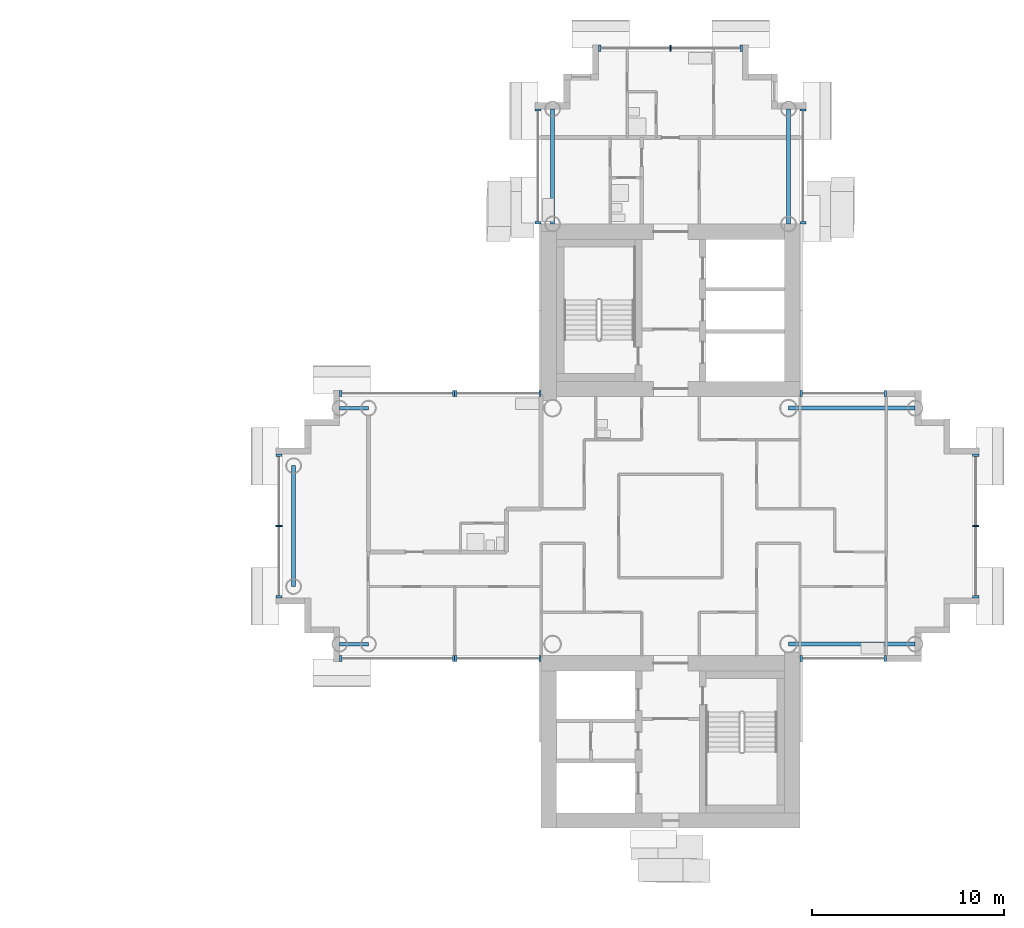
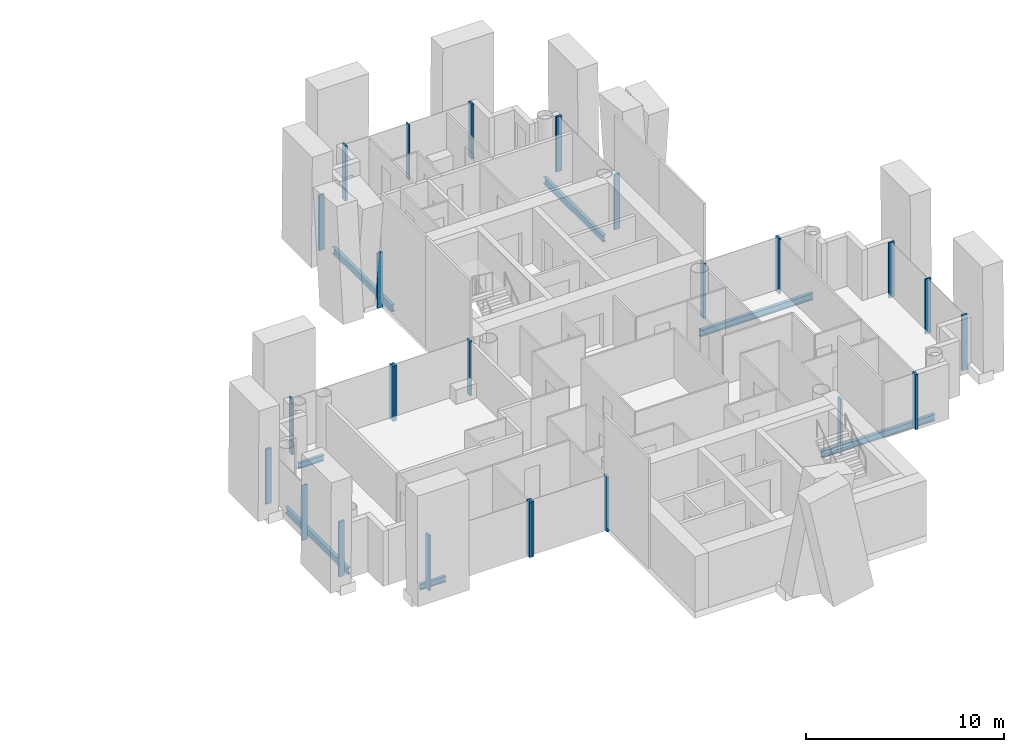
# One storey, part 4 of 18: 25 members, 7 beams, 11 elements without a shape of their own.
"""IFC4 building model written with IfcOpenShell, lengths in metres."""

from ifc_helpers import new_model, si_unit, direction, frame, origin, origin_2d, place, context, subcontext, project, spatial, rectangle, i_section, extrude, material, layer, layer_set, material_profile, profile_set, type_object, element, aggregate, save


model = new_model("IFC4")

# Units and contexts
model_context = context("Model", 3, precision=1e-05, world=origin(), true_north=direction((0.0, 1.0)))
body_context = subcontext(model_context, "Body", "Model", "MODEL_VIEW")
ifc_project = project(units=[si_unit("LENGTHUNIT", "METRE"), si_unit("AREAUNIT", "SQUARE_METRE"), si_unit("VOLUMEUNIT", "CUBIC_METRE"), si_unit("PLANEANGLEUNIT", "RADIAN"), si_unit("MASSUNIT", "GRAM", prefix="KILO")], contexts=[model_context])

# Site, building, storey
site_placement = place(None, origin())
site = spatial("IfcSite", under=ifc_project, at=site_placement, CompositionType="ELEMENT")
building_placement = place(site_placement, origin())
building = spatial("IfcBuilding", under=site, at=building_placement, Name="Ipe Terrace Towers", CompositionType="ELEMENT")
storey_placement = place(building_placement, frame((0.0, 0.0, 150.699951171875)))
storey = spatial("IfcBuildingStorey", under=building, at=storey_placement, Name="L41", CompositionType="ELEMENT", Elevation=150.699951171875)

# Beams
ifc_material_1 = material(Name="Steel S355", Category="steel")
ifc_material_profile_1 = material_profile(ifc_material_1, i_section(OverallWidth=0.175048828125, OverallDepth=0.35009765625, WebThickness=0.007080078125, FlangeThickness=0.010986328125, at=origin_2d()), Name="H-350x175x7x11")
ifc_profile_set_1 = profile_set([ifc_material_profile_1], Name="Steel S355")
beam_type_1 = type_object("IfcBeamType", Name="H04 EDGE BEAM H-350x175x7x11", PredefinedType="BEAM", material=ifc_profile_set_1)
for number, where, z_axis, x_axis, name in (
    (1, (20.25, 6.14990234375, -0.574951171875), (-1.0, 0.0, 0.0), (0.0, -1.0, 0.0), "Edge beam T2-EB-B03-B05"),
    (2, (20.25, -6.14990234375, -0.574951171875), (-1.0, 0.0, 0.0), (0.0, -1.0, 0.0), "Edge beam T2-EB-B04-B06"),
):
    element("IfcBeam", number, at=place(storey_placement, frame(where, z_axis=z_axis, x_axis=x_axis)), inside=storey, type_object=beam_type_1, Name=name, PredefinedType="BEAM", context=body_context, shape_type="SweptSolid", body=[
        extrude(i_section(OverallWidth=0.175048828125, OverallDepth=0.35009765625, WebThickness=0.007080078125, FlangeThickness=0.010986328125, at=origin_2d()), origin(), (0.0, 0.0, 1.0), 1.5),
    ])
ifc_material_2 = material(Name="Steel S355", Category="steel")
ifc_material_profile_2 = material_profile(ifc_material_2, i_section(OverallWidth=0.199951171875, OverallDepth=0.39990234375, WebThickness=0.008056640625, FlangeThickness=0.012939453125, at=origin_2d()), Name="H-400x200x8x13")
ifc_profile_set_2 = profile_set([ifc_material_profile_2], Name="Steel S355")
beam_type_2 = type_object("IfcBeamType", Name="H06 EDGE BEAM H-400x200x8x13", PredefinedType="BEAM", material=ifc_profile_set_2)
for number, where, z_axis, x_axis, name in (
    (3, (42.14990234375, 15.75, -0.599853515625), (0.0, 1.0, 0.0), (-1.0, 0.0, 0.0), "Edge beam T2-EB-A01-A03"),
    (4, (29.85009765625, 15.75, -0.599853515625), (0.0, 1.0, 0.0), (-1.0, 0.0, 0.0), "Edge beam T2-EB-A02-A04"),
):
    element("IfcBeam", number, at=place(storey_placement, frame(where, z_axis=z_axis, x_axis=x_axis)), inside=storey, type_object=beam_type_2, Name=name, PredefinedType="BEAM", context=body_context, shape_type="SweptSolid", body=[
        extrude(i_section(OverallWidth=0.199951171875, OverallDepth=0.39990234375, WebThickness=0.008056640625, FlangeThickness=0.012939453125, at=origin_2d()), origin(), (0.0, 0.0, 1.0), 6.0),
    ])
beam_placement = place(storey_placement, frame((16.35009765625, 3.14990234375, -0.599853515625), z_axis=(0.0, -1.0, 0.0), x_axis=(1.0, 0.0, 0.0)))
element("IfcBeam", 5, at=beam_placement, inside=storey, type_object=beam_type_2, Name="Edge beam T2-EB-B07-B08", PredefinedType="BEAM", context=body_context, shape_type="SweptSolid", body=[
    extrude(i_section(OverallWidth=0.199951171875, OverallDepth=0.39990234375, WebThickness=0.008056640625, FlangeThickness=0.012939453125, at=origin_2d()), origin(), (0.0, 0.0, 1.0), 6.2998046875),
])
for number, where, z_axis, x_axis, name in (
    (6, (48.75, -6.14990234375, -0.599853515625), (-1.0, 0.0, 0.0), (0.0, -1.0, 0.0), "Edge beam T2-EB-D01-E01"),
    (7, (48.75, 6.14990234375, -0.599853515625), (-1.0, 0.0, 0.0), (0.0, -1.0, 0.0), "Edge beam T2-EB-D02-E02"),
):
    element("IfcBeam", number, at=place(storey_placement, frame(where, z_axis=z_axis, x_axis=x_axis)), inside=storey, type_object=beam_type_2, Name=name, PredefinedType="BEAM", context=body_context, shape_type="SweptSolid", body=[
        extrude(i_section(OverallWidth=0.199951171875, OverallDepth=0.39990234375, WebThickness=0.008056640625, FlangeThickness=0.012939453125, at=origin_2d()), origin(), (0.0, 0.0, 1.0), 6.60009765625),
    ])

# Curtain wall, members
ifc_material_3 = material(Name="Aluminium alloy 6063-T6", Category="aluminium")
ifc_layer = layer(ifc_material_3, 0.320068359375)
ifc_layer_set = layer_set([ifc_layer], Name="TOWER UNITISED CURTAIN WALL")
curtain_wall_type = type_object("IfcCurtainWallType", Name="TOWER UNITISED CURTAIN WALL", PredefinedType="NOTDEFINED", material=ifc_layer_set)
curtain_wall_1_placement = place(storey_placement, origin())
curtain_wall_1 = element("IfcCurtainWall", 8, at=curtain_wall_1_placement, inside=storey, type_object=curtain_wall_type, Name="T2-CW-L41-02a curtain wall", PredefinedType="NOTDEFINED")
ifc_material_4 = material(Name="Aluminium alloy 6063-T6", Category="aluminium")
ifc_material_profile_3 = material_profile(ifc_material_4, rectangle(XDim=0.320068359375, YDim=0.1201171875, at=origin_2d()), Name="TOWER UNITISED CORNER MULLION 320 x 120")
ifc_profile_set_3 = profile_set([ifc_material_profile_3], Name="Aluminium alloy 6063-T6")
member_type_1 = type_object("IfcMemberType", Name="TOWER UNITISED CORNER MULLION 320 x 120", PredefinedType="MULLION", material=ifc_profile_set_3)
member_1_placement = place(storey_placement, frame((42.81005859375, -6.909912109375, -0.300048828125), z_axis=(0.0, 0.0, 1.0), x_axis=(0.0, -1.0, 0.0)))
member_1 = element("IfcMember", 9, at=member_1_placement, type_object=member_type_1, Name="T2-CW-L41-02a mullion 1", PredefinedType="MULLION", context=body_context, shape_type="SweptSolid", body=[
    extrude(rectangle(XDim=0.320068359375, YDim=0.1201171875, at=origin_2d()), origin(), (0.0, 0.0, 1.0), 3.400146484375),
])
member_2_placement = place(storey_placement, frame((47.18994140625, -6.909912109375, -0.300048828125), z_axis=(0.0, 0.0, 1.0), x_axis=(0.0, -1.0, 0.0)))
member_2 = element("IfcMember", 10, at=member_2_placement, type_object=member_type_1, Name="T2-CW-L41-02a mullion 2", PredefinedType="MULLION", context=body_context, shape_type="SweptSolid", body=[
    extrude(rectangle(XDim=0.320068359375, YDim=0.1201171875, at=origin_2d()), origin(), (0.0, 0.0, 1.0), 3.400146484375),
])
aggregate(curtain_wall_1, [member_1, member_2])

curtain_wall_2_placement = place(storey_placement, origin())
curtain_wall_2 = element("IfcCurtainWall", 11, at=curtain_wall_2_placement, inside=storey, type_object=curtain_wall_type, Name="T2-CW-L41-08a curtain wall", PredefinedType="NOTDEFINED")
member_3_placement = place(storey_placement, frame((51.909912109375, -3.68994140625, -0.300048828125), z_axis=(0.0, 0.0, 1.0), x_axis=(1.0, 0.0, 0.0)))
member_3 = element("IfcMember", 12, at=member_3_placement, type_object=member_type_1, Name="T2-CW-L41-08a mullion 1", PredefinedType="MULLION", context=body_context, shape_type="SweptSolid", body=[
    extrude(rectangle(XDim=0.320068359375, YDim=0.1201171875, at=origin_2d()), origin(), (0.0, 0.0, 1.0), 3.400146484375),
])
member_4_placement = place(storey_placement, frame((51.909912109375, 3.68994140625, -0.300048828125), z_axis=(0.0, 0.0, 1.0), x_axis=(1.0, 0.0, 0.0)))
member_4 = element("IfcMember", 13, at=member_4_placement, type_object=member_type_1, Name="T2-CW-L41-08a mullion 3", PredefinedType="MULLION", context=body_context, shape_type="SweptSolid", body=[
    extrude(rectangle(XDim=0.320068359375, YDim=0.1201171875, at=origin_2d()), origin(), (0.0, 0.0, 1.0), 3.400146484375),
])

curtain_wall_3_placement = place(storey_placement, origin())
curtain_wall_3 = element("IfcCurtainWall", 14, at=curtain_wall_3_placement, inside=storey, type_object=curtain_wall_type, Name="T2-CW-L41-14a curtain wall", PredefinedType="NOTDEFINED")
member_5_placement = place(storey_placement, frame((47.18994140625, 6.909912109375, -0.300048828125), z_axis=(0.0, 0.0, 1.0), x_axis=(0.0, 1.0, 0.0)))
member_5 = element("IfcMember", 15, at=member_5_placement, type_object=member_type_1, Name="T2-CW-L41-14a mullion 1", PredefinedType="MULLION", context=body_context, shape_type="SweptSolid", body=[
    extrude(rectangle(XDim=0.320068359375, YDim=0.1201171875, at=origin_2d()), origin(), (0.0, 0.0, 1.0), 3.400146484375),
])
member_6_placement = place(storey_placement, frame((42.81005859375, 6.909912109375, -0.300048828125), z_axis=(0.0, 0.0, 1.0), x_axis=(0.0, 1.0, 0.0)))
member_6 = element("IfcMember", 16, at=member_6_placement, type_object=member_type_1, Name="T2-CW-L41-14a mullion 2", PredefinedType="MULLION", context=body_context, shape_type="SweptSolid", body=[
    extrude(rectangle(XDim=0.320068359375, YDim=0.1201171875, at=origin_2d()), origin(), (0.0, 0.0, 1.0), 3.400146484375),
])
aggregate(curtain_wall_3, [member_5, member_6])

curtain_wall_4_placement = place(storey_placement, origin())
curtain_wall_4 = element("IfcCurtainWall", 17, at=curtain_wall_4_placement, inside=storey, type_object=curtain_wall_type, Name="T2-CW-L41-16b curtain wall", PredefinedType="NOTDEFINED")
member_7_placement = place(storey_placement, frame((42.909912109375, 15.81103515625, -0.300048828125), z_axis=(0.0, 0.0, 1.0), x_axis=(1.0, 0.0, 0.0)))
member_7 = element("IfcMember", 18, at=member_7_placement, type_object=member_type_1, Name="T2-CW-L41-16b mullion 1", PredefinedType="MULLION", context=body_context, shape_type="SweptSolid", body=[
    extrude(rectangle(XDim=0.320068359375, YDim=0.1201171875, at=origin_2d()), origin(), (0.0, 0.0, 1.0), 3.400146484375),
])
member_8_placement = place(storey_placement, frame((42.909912109375, 21.68994140625, -0.300048828125), z_axis=(0.0, 0.0, 1.0), x_axis=(1.0, 0.0, 0.0)))
member_8 = element("IfcMember", 19, at=member_8_placement, type_object=member_type_1, Name="T2-CW-L41-16b mullion 2", PredefinedType="MULLION", context=body_context, shape_type="SweptSolid", body=[
    extrude(rectangle(XDim=0.320068359375, YDim=0.1201171875, at=origin_2d()), origin(), (0.0, 0.0, 1.0), 3.400146484375),
])
aggregate(curtain_wall_4, [member_7, member_8])

curtain_wall_5_placement = place(storey_placement, origin())
curtain_wall_5 = element("IfcCurtainWall", 20, at=curtain_wall_5_placement, inside=storey, type_object=curtain_wall_type, Name="T2-CW-L41-21a curtain wall", PredefinedType="NOTDEFINED")
member_9_placement = place(storey_placement, frame((39.68994140625, 24.909912109375, -0.300048828125), z_axis=(0.0, 0.0, 1.0), x_axis=(0.0, 1.0, 0.0)))
member_9 = element("IfcMember", 21, at=member_9_placement, type_object=member_type_1, Name="T2-CW-L41-21a mullion 1", PredefinedType="MULLION", context=body_context, shape_type="SweptSolid", body=[
    extrude(rectangle(XDim=0.320068359375, YDim=0.1201171875, at=origin_2d()), origin(), (0.0, 0.0, 1.0), 3.400146484375),
])
member_10_placement = place(storey_placement, frame((32.31005859375, 24.909912109375, -0.300048828125), z_axis=(0.0, 0.0, 1.0), x_axis=(0.0, 1.0, 0.0)))
member_10 = element("IfcMember", 22, at=member_10_placement, type_object=member_type_1, Name="T2-CW-L41-21a mullion 3", PredefinedType="MULLION", context=body_context, shape_type="SweptSolid", body=[
    extrude(rectangle(XDim=0.320068359375, YDim=0.1201171875, at=origin_2d()), origin(), (0.0, 0.0, 1.0), 3.400146484375),
])

curtain_wall_6_placement = place(storey_placement, origin())
curtain_wall_6 = element("IfcCurtainWall", 23, at=curtain_wall_6_placement, inside=storey, type_object=curtain_wall_type, Name="T2-CW-L41-26a curtain wall", PredefinedType="NOTDEFINED")
member_11_placement = place(storey_placement, frame((29.090087890625, 21.68994140625, -0.300048828125), z_axis=(0.0, 0.0, 1.0), x_axis=(-1.0, 0.0, 0.0)))
member_11 = element("IfcMember", 24, at=member_11_placement, type_object=member_type_1, Name="T2-CW-L41-26a mullion 1", PredefinedType="MULLION", context=body_context, shape_type="SweptSolid", body=[
    extrude(rectangle(XDim=0.320068359375, YDim=0.1201171875, at=origin_2d()), origin(), (0.0, 0.0, 1.0), 3.400146484375),
])
member_12_placement = place(storey_placement, frame((29.090087890625, 15.81103515625, -0.300048828125), z_axis=(0.0, 0.0, 1.0), x_axis=(-1.0, 0.0, 0.0)))
member_12 = element("IfcMember", 25, at=member_12_placement, type_object=member_type_1, Name="T2-CW-L41-26a mullion 2", PredefinedType="MULLION", context=body_context, shape_type="SweptSolid", body=[
    extrude(rectangle(XDim=0.320068359375, YDim=0.1201171875, at=origin_2d()), origin(), (0.0, 0.0, 1.0), 3.400146484375),
])
aggregate(curtain_wall_6, [member_11, member_12])

curtain_wall_7_placement = place(storey_placement, origin())
curtain_wall_7 = element("IfcCurtainWall", 26, at=curtain_wall_7_placement, inside=storey, type_object=curtain_wall_type, Name="T2-CW-L41-28a curtain wall", PredefinedType="NOTDEFINED")
member_13_placement = place(storey_placement, frame((29.18994140625, 6.909912109375, -0.300048828125), z_axis=(0.0, 0.0, 1.0), x_axis=(0.0, 1.0, 0.0)))
member_13 = element("IfcMember", 27, at=member_13_placement, type_object=member_type_1, Name="T2-CW-L41-28a mullion 1", PredefinedType="MULLION", context=body_context, shape_type="SweptSolid", body=[
    extrude(rectangle(XDim=0.320068359375, YDim=0.1201171875, at=origin_2d()), origin(), (0.0, 0.0, 1.0), 3.400146484375),
])
member_14_placement = place(storey_placement, frame((24.81005859375, 6.909912109375, -0.300048828125), z_axis=(0.0, 0.0, 1.0), x_axis=(0.0, 1.0, 0.0)))
member_14 = element("IfcMember", 28, at=member_14_placement, type_object=member_type_1, Name="T2-CW-L41-28a mullion 2", PredefinedType="MULLION", context=body_context, shape_type="SweptSolid", body=[
    extrude(rectangle(XDim=0.320068359375, YDim=0.1201171875, at=origin_2d()), origin(), (0.0, 0.0, 1.0), 3.400146484375),
])
aggregate(curtain_wall_7, [member_13, member_14])

curtain_wall_8_placement = place(storey_placement, origin())
curtain_wall_8 = element("IfcCurtainWall", 29, at=curtain_wall_8_placement, inside=storey, type_object=curtain_wall_type, Name="T2-CW-L41-29a curtain wall", PredefinedType="NOTDEFINED")
member_15_placement = place(storey_placement, frame((24.68994140625, 6.909912109375, -0.300048828125), z_axis=(0.0, 0.0, 1.0), x_axis=(0.0, 1.0, 0.0)))
member_15 = element("IfcMember", 30, at=member_15_placement, type_object=member_type_1, Name="T2-CW-L41-29a mullion 1", PredefinedType="MULLION", context=body_context, shape_type="SweptSolid", body=[
    extrude(rectangle(XDim=0.320068359375, YDim=0.1201171875, at=origin_2d()), origin(), (0.0, 0.0, 1.0), 3.400146484375),
])
member_16_placement = place(storey_placement, frame((18.81005859375, 6.909912109375, -0.300048828125), z_axis=(0.0, 0.0, 1.0), x_axis=(0.0, 1.0, 0.0)))
member_16 = element("IfcMember", 31, at=member_16_placement, type_object=member_type_1, Name="T2-CW-L41-29a mullion 2", PredefinedType="MULLION", context=body_context, shape_type="SweptSolid", body=[
    extrude(rectangle(XDim=0.320068359375, YDim=0.1201171875, at=origin_2d()), origin(), (0.0, 0.0, 1.0), 3.400146484375),
])
aggregate(curtain_wall_8, [member_15, member_16])

curtain_wall_9_placement = place(storey_placement, origin())
curtain_wall_9 = element("IfcCurtainWall", 32, at=curtain_wall_9_placement, inside=storey, type_object=curtain_wall_type, Name="T2-CW-L41-34a curtain wall", PredefinedType="NOTDEFINED")
member_17_placement = place(storey_placement, frame((15.590087890625, 3.68994140625, -0.300048828125), z_axis=(0.0, 0.0, 1.0), x_axis=(-1.0, 0.0, 0.0)))
member_17 = element("IfcMember", 33, at=member_17_placement, type_object=member_type_1, Name="T2-CW-L41-34a mullion 1", PredefinedType="MULLION", context=body_context, shape_type="SweptSolid", body=[
    extrude(rectangle(XDim=0.320068359375, YDim=0.1201171875, at=origin_2d()), origin(), (0.0, 0.0, 1.0), 3.400146484375),
])
member_18_placement = place(storey_placement, frame((15.590087890625, -3.68994140625, -0.300048828125), z_axis=(0.0, 0.0, 1.0), x_axis=(-1.0, 0.0, 0.0)))
member_18 = element("IfcMember", 34, at=member_18_placement, type_object=member_type_1, Name="T2-CW-L41-34a mullion 3", PredefinedType="MULLION", context=body_context, shape_type="SweptSolid", body=[
    extrude(rectangle(XDim=0.320068359375, YDim=0.1201171875, at=origin_2d()), origin(), (0.0, 0.0, 1.0), 3.400146484375),
])

curtain_wall_10_placement = place(storey_placement, origin())
curtain_wall_10 = element("IfcCurtainWall", 35, at=curtain_wall_10_placement, inside=storey, type_object=curtain_wall_type, Name="T2-CW-L41-39a curtain wall", PredefinedType="NOTDEFINED")
member_19_placement = place(storey_placement, frame((18.81005859375, -6.909912109375, -0.300048828125), z_axis=(0.0, 0.0, 1.0), x_axis=(0.0, -1.0, 0.0)))
member_19 = element("IfcMember", 36, at=member_19_placement, type_object=member_type_1, Name="T2-CW-L41-39a mullion 1", PredefinedType="MULLION", context=body_context, shape_type="SweptSolid", body=[
    extrude(rectangle(XDim=0.320068359375, YDim=0.1201171875, at=origin_2d()), origin(), (0.0, 0.0, 1.0), 3.400146484375),
])
member_20_placement = place(storey_placement, frame((24.68994140625, -6.909912109375, -0.300048828125), z_axis=(0.0, 0.0, 1.0), x_axis=(0.0, -1.0, 0.0)))
member_20 = element("IfcMember", 37, at=member_20_placement, type_object=member_type_1, Name="T2-CW-L41-39a mullion 2", PredefinedType="MULLION", context=body_context, shape_type="SweptSolid", body=[
    extrude(rectangle(XDim=0.320068359375, YDim=0.1201171875, at=origin_2d()), origin(), (0.0, 0.0, 1.0), 3.400146484375),
])
aggregate(curtain_wall_10, [member_19, member_20])

curtain_wall_11_placement = place(storey_placement, origin())
curtain_wall_11 = element("IfcCurtainWall", 38, at=curtain_wall_11_placement, inside=storey, type_object=curtain_wall_type, Name="T2-CW-L41-40a curtain wall", PredefinedType="NOTDEFINED")
member_21_placement = place(storey_placement, frame((24.81005859375, -6.909912109375, -0.300048828125), z_axis=(0.0, 0.0, 1.0), x_axis=(0.0, -1.0, 0.0)))
member_21 = element("IfcMember", 39, at=member_21_placement, type_object=member_type_1, Name="T2-CW-L41-40a mullion 1", PredefinedType="MULLION", context=body_context, shape_type="SweptSolid", body=[
    extrude(rectangle(XDim=0.320068359375, YDim=0.1201171875, at=origin_2d()), origin(), (0.0, 0.0, 1.0), 3.400146484375),
])
member_22_placement = place(storey_placement, frame((29.18994140625, -6.909912109375, -0.300048828125), z_axis=(0.0, 0.0, 1.0), x_axis=(0.0, -1.0, 0.0)))
member_22 = element("IfcMember", 40, at=member_22_placement, type_object=member_type_1, Name="T2-CW-L41-40a mullion 2", PredefinedType="MULLION", context=body_context, shape_type="SweptSolid", body=[
    extrude(rectangle(XDim=0.320068359375, YDim=0.1201171875, at=origin_2d()), origin(), (0.0, 0.0, 1.0), 3.400146484375),
])
aggregate(curtain_wall_11, [member_21, member_22])

# Member
ifc_material_5 = material(Name="Aluminium alloy 6063-T6", Category="aluminium")
ifc_material_profile_4 = material_profile(ifc_material_5, rectangle(XDim=0.320068359375, YDim=0.06494140625, at=origin_2d()), Name="TOWER UNITISED MULLION 320 x 65")
ifc_profile_set_4 = profile_set([ifc_material_profile_4], Name="Aluminium alloy 6063-T6")
member_type_2 = type_object("IfcMemberType", Name="TOWER UNITISED MULLION 320 x 65", PredefinedType="MULLION", material=ifc_profile_set_4)
member_23_placement = place(storey_placement, frame((51.909912109375, 0.0, -0.300048828125), z_axis=(0.0, 0.0, 1.0), x_axis=(1.0, 0.0, 0.0)))
member_23 = element("IfcMember", 41, at=member_23_placement, type_object=member_type_2, Name="T2-CW-L41-08a mullion 2", PredefinedType="MULLION", context=body_context, shape_type="SweptSolid", body=[
    extrude(rectangle(XDim=0.320068359375, YDim=0.06494140625, at=origin_2d()), origin(), (0.0, 0.0, 1.0), 3.400146484375),
])

aggregate(curtain_wall_2, [member_3, member_23, member_4])

member_24_placement = place(storey_placement, frame((36.0, 24.909912109375, -0.300048828125), z_axis=(0.0, 0.0, 1.0), x_axis=(0.0, 1.0, 0.0)))
member_24 = element("IfcMember", 42, at=member_24_placement, type_object=member_type_2, Name="T2-CW-L41-21a mullion 2", PredefinedType="MULLION", context=body_context, shape_type="SweptSolid", body=[
    extrude(rectangle(XDim=0.320068359375, YDim=0.06494140625, at=origin_2d()), origin(), (0.0, 0.0, 1.0), 3.400146484375),
])

aggregate(curtain_wall_5, [member_9, member_24, member_10])

member_25_placement = place(storey_placement, frame((15.590087890625, 0.0, -0.300048828125), z_axis=(0.0, 0.0, 1.0), x_axis=(-1.0, 0.0, 0.0)))
member_25 = element("IfcMember", 43, at=member_25_placement, type_object=member_type_2, Name="T2-CW-L41-34a mullion 2", PredefinedType="MULLION", context=body_context, shape_type="SweptSolid", body=[
    extrude(rectangle(XDim=0.320068359375, YDim=0.06494140625, at=origin_2d()), origin(), (0.0, 0.0, 1.0), 3.400146484375),
])

aggregate(curtain_wall_9, [member_17, member_25, member_18])

save(model, "model.ifc")
